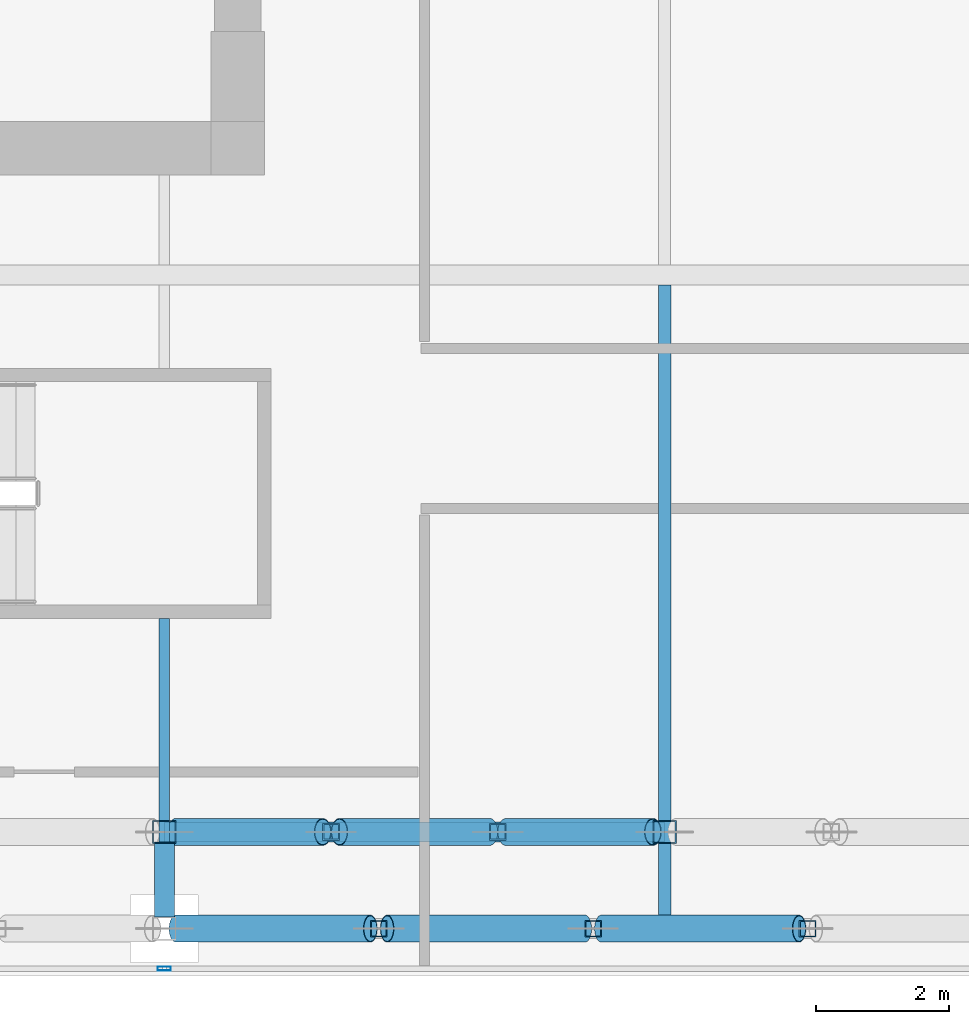
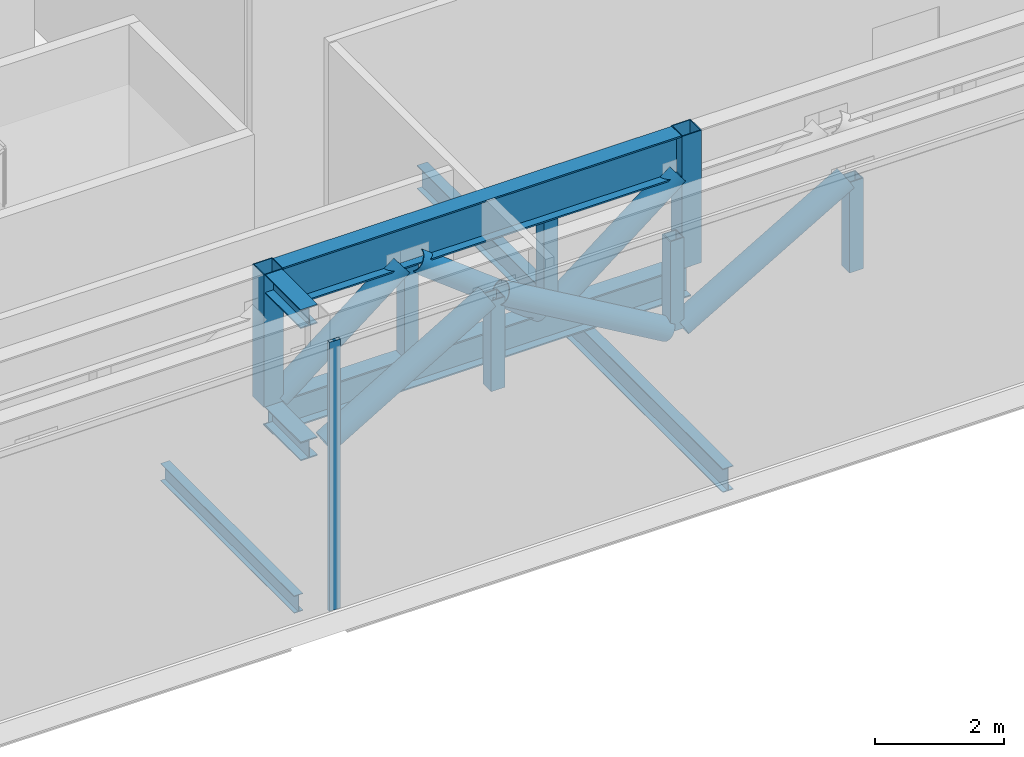
# One storey, part 6 of 36: 16 members, 4 beams, 1 element without a shape of its own.
"""IFC4 building model written with IfcOpenShell, lengths in metres."""

from ifc_helpers import new_model, si_unit, direction, frame, origin, origin_2d, place, context, subcontext, project, spatial, hollow_rectangle, hollow_circle, i_section, extrude, source, transform, mapped, material, material_profile, profile_set, type_object, element, aggregate, save


model = new_model("IFC4")

# Units and contexts
model_context = context("Model", 3, precision=1e-05, world=origin(), true_north=direction((0.0, 1.0)))
body_context = subcontext(model_context, "Body", "Model", "MODEL_VIEW")
ifc_project = project(units=[si_unit("LENGTHUNIT", "METRE"), si_unit("AREAUNIT", "SQUARE_METRE"), si_unit("VOLUMEUNIT", "CUBIC_METRE"), si_unit("PLANEANGLEUNIT", "RADIAN"), si_unit("MASSUNIT", "GRAM", prefix="KILO")], contexts=[model_context])

# Site, building, storey
site_placement = place(None, origin())
site = spatial("IfcSite", under=ifc_project, at=site_placement, CompositionType="ELEMENT")
building_placement = place(site_placement, origin())
building = spatial("IfcBuilding", under=site, at=building_placement, Name="Khomas Fold Tower", CompositionType="ELEMENT")
storey_placement = place(building_placement, frame((0.0, 0.0, 216.699951171875)))
storey = spatial("IfcBuildingStorey", under=building, at=storey_placement, Name="L48", CompositionType="ELEMENT", Elevation=216.699951171875)

# Beams
ifc_material_1 = material(Name="Steel S355", Category="steel")
ifc_material_profile_1 = material_profile(ifc_material_1, i_section(OverallWidth=0.159912109375, OverallDepth=0.330078125, WebThickness=0.007568359375, FlangeThickness=0.011474609375, at=origin_2d()), Name="IPE 330")
ifc_profile_set_1 = profile_set([ifc_material_profile_1], Name="Steel S355")
beam_type_1 = type_object("IfcBeamType", Name="IPE 330 beam JB1", PredefinedType="BEAM", material=ifc_profile_set_1)
shared_shape_1 = source(origin(), body_context, "Body", "SweptSolid", [
    extrude(i_section(OverallWidth=0.159912109375, OverallDepth=0.330078125, WebThickness=0.007568359375, FlangeThickness=0.011474609375, at=origin_2d()), origin(), (0.0, 0.0, 1.0), 4.150146484375),
])
beam_1_placement = place(storey_placement, frame((19.5, 4.199951171875, -0.56494140625), z_axis=(0.0, 1.0, 0.0), x_axis=(-1.0, 0.0, 0.0)))
element("IfcBeam", 1, at=beam_1_placement, inside=storey, type_object=beam_type_1, Name="JB1", PredefinedType="BEAM", context=body_context, shape_type="MappedRepresentation", body=[
    mapped(shared_shape_1, transform((0.0, 0.0, 0.0))),
])
ifc_material_2 = material(Name="Steel S355", Category="steel")
ifc_material_profile_2 = material_profile(ifc_material_2, i_section(OverallWidth=0.18994140625, OverallDepth=0.449951171875, WebThickness=0.009521484375, FlangeThickness=0.0146484375, at=origin_2d()), Name="IPE 450")
ifc_profile_set_2 = profile_set([ifc_material_profile_2], Name="Steel S355")
beam_type_2 = type_object("IfcBeamType", Name="IPE 450 beam JB4", PredefinedType="BEAM", material=ifc_profile_set_2)
shared_shape_2 = source(origin(), body_context, "Body", "SweptSolid", [
    extrude(i_section(OverallWidth=0.18994140625, OverallDepth=0.449951171875, WebThickness=0.009521484375, FlangeThickness=0.0146484375, at=origin_2d()), origin(), (0.0, 0.0, 1.0), 9.5),
])
beam_2_placement = place(storey_placement, frame((27.0, 3.85009765625, -0.625), z_axis=(0.0, 1.0, 0.0), x_axis=(-1.0, 0.0, 0.0)))
element("IfcBeam", 2, at=beam_2_placement, inside=storey, type_object=beam_type_2, Name="JB4", PredefinedType="BEAM", context=body_context, shape_type="MappedRepresentation", body=[
    mapped(shared_shape_2, transform((0.0, 0.0, 0.0))),
])

# Members
ifc_material_3 = material(Name="Steel S355", Category="steel")
ifc_material_profile_3 = material_profile(ifc_material_3, i_section(OverallWidth=0.300048828125, OverallDepth=0.7900390625, WebThickness=0.014892578125, FlangeThickness=0.028076171875, at=origin_2d()), Name="HE 800 A")
ifc_profile_set_3 = profile_set([ifc_material_profile_3], Name="Steel S355")
member_type_1 = type_object("IfcMemberType", Name="BELT TRUSS 3 TOP CHORD HE 800 A", PredefinedType="CHORD", material=ifc_profile_set_3)
shared_shape_3 = source(origin(), body_context, "Body", "SweptSolid", [
    extrude(i_section(OverallWidth=0.300048828125, OverallDepth=0.7900390625, WebThickness=0.014892578125, FlangeThickness=0.028076171875, at=origin_2d()), origin(), (0.0, 0.0, 1.0), 7.14990234375),
])
member_1_placement = place(storey_placement, frame((19.675048828125, 5.14990234375, 4.85498046875), z_axis=(1.0, 0.0, 0.0), x_axis=(0.0, 1.0, 0.0)))
element("IfcMember", 3, at=member_1_placement, inside=storey, type_object=member_type_1, Name="BT3-CT", PredefinedType="CHORD", context=body_context, shape_type="MappedRepresentation", body=[
    mapped(shared_shape_3, transform((0.0, 0.0, 0.0))),
])
ifc_material_4 = material(Name="Steel S355", Category="steel")
ifc_material_profile_4 = material_profile(ifc_material_4, hollow_circle(Radius=0.203125, WallThickness=0.012451171875, at=origin_2d()), Name="CHS 406.4x12.5")
ifc_profile_set_4 = profile_set([ifc_material_profile_4], Name="Steel S355")
member_type_2 = type_object("IfcMemberType", Name="BELT TRUSS 3 DIAGONAL CHS 406.4x12.5", PredefinedType="BRACE", material=ifc_profile_set_4)
shared_shape_4 = source(origin(), body_context, "Body", "SweptSolid", [
    extrude(hollow_circle(Radius=0.203125, WallThickness=0.012451171875, at=origin_2d()), origin(), (0.0, 0.0, 1.0), 2.798583984375),
])
for number, where, z_axis, x_axis, name in (
    (4, (19.675048828125, 5.14990234375, 2.735107421875), (0.786067028411, 0.0, 0.618141267709), (0.0, 1.0, 0.0), "BT3-D"),
    (5, (24.625, 5.14990234375, 2.735107421875), (0.786067028411, 0.0, 0.618141267709), (0.0, 1.0, 0.0), "BT3-D"),
):
    element("IfcMember", number, at=place(storey_placement, frame(where, z_axis=z_axis, x_axis=x_axis)), inside=storey, type_object=member_type_2, Name=name, PredefinedType="BRACE", context=body_context, shape_type="MappedRepresentation", body=[
        mapped(shared_shape_4, transform((0.0, 0.0, 0.0))),
    ])
shared_shape_5 = source(origin(), body_context, "Body", "SweptSolid", [
    extrude(hollow_circle(Radius=0.203125, WallThickness=0.012451171875, at=origin_2d()), origin(), (0.0, 0.0, 1.0), 2.838134765625),
])
member_2_placement = place(storey_placement, frame((22.125, 5.14990234375, 4.465087890625), z_axis=(0.792758275848, 0.0, -0.609536148292), x_axis=(0.0, 1.0, 0.0)))
element("IfcMember", 6, at=member_2_placement, inside=storey, type_object=member_type_2, Name="BT3-D", PredefinedType="BRACE", context=body_context, shape_type="MappedRepresentation", body=[
    mapped(shared_shape_5, transform((0.0, 0.0, 0.0))),
])
ifc_material_5 = material(Name="Steel S355", Category="steel")
ifc_material_profile_5 = material_profile(ifc_material_5, hollow_rectangle(XDim=0.25, YDim=0.25, WallThickness=0.01611328125, at=origin_2d()), Name="SHS 250x250x16")
ifc_profile_set_5 = profile_set([ifc_material_profile_5], Name="Steel S355")
member_type_3 = type_object("IfcMemberType", Name="BELT TRUSS 3 MID POST SHS 250x250x16", PredefinedType="POST", material=ifc_profile_set_5)
shared_shape_6 = source(origin(), body_context, "Body", "SweptSolid", [
    extrude(hollow_rectangle(XDim=0.25, YDim=0.25, WallThickness=0.01611328125, at=origin_2d()), origin(), (0.0, 0.0, 1.0), 1.719970703125),
])
for number, where, z_axis, x_axis, name in (
    (7, (22.71435546875, 3.699951171875, 2.739990234375), (0.0, 0.0, 1.0), (1.0, 0.0, 0.0), "BT3-M"),
    (8, (25.928466796875, 3.699951171875, 2.739990234375), (0.0, 0.0, 1.0), (1.0, 0.0, 0.0), "BT3-M"),
    (9, (29.142822265625, 3.699951171875, 2.739990234375), (0.0, 0.0, 1.0), (1.0, 0.0, 0.0), "BT3-M"),
    (10, (22.0, 5.14990234375, 2.739990234375), (0.0, 0.0, 1.0), (1.0, 0.0, 0.0), "BT3-M"),
    (11, (24.5, 5.14990234375, 2.739990234375), (0.0, 0.0, 1.0), (1.0, 0.0, 0.0), "BT3-M"),
):
    element("IfcMember", number, at=place(storey_placement, frame(where, z_axis=z_axis, x_axis=x_axis)), inside=storey, type_object=member_type_3, Name=name, PredefinedType="POST", context=body_context, shape_type="MappedRepresentation", body=[
        mapped(shared_shape_6, transform((0.0, 0.0, 0.0))),
    ])
shared_shape_7 = source(origin(), body_context, "Body", "SweptSolid", [
    extrude(hollow_circle(Radius=0.203125, WallThickness=0.012451171875, at=origin_2d()), origin(), (0.0, 0.0, 1.0), 3.38916015625),
])
member_3_placement = place(storey_placement, frame((19.675048828125, 3.699951171875, 2.735107421875), z_axis=(0.859905139514, 0.0, 0.510453867688), x_axis=(0.0, 1.0, 0.0)))
element("IfcMember", 12, at=member_3_placement, inside=storey, type_object=member_type_2, Name="BT3-D", PredefinedType="BRACE", context=body_context, shape_type="MappedRepresentation", body=[
    mapped(shared_shape_7, transform((0.0, 0.0, 0.0))),
])
shared_shape_8 = source(origin(), body_context, "Body", "SweptSolid", [
    extrude(hollow_circle(Radius=0.203125, WallThickness=0.012451171875, at=origin_2d()), origin(), (0.0, 0.0, 1.0), 3.43212890625),
])
for number, where, z_axis, x_axis, name in (
    (13, (22.83935546875, 3.699951171875, 4.465087890625), (0.863662775089, 0.0, -0.504070045654), (0.0, 1.0, 0.0), "BT3-D"),
    (14, (26.053466796875, 3.699951171875, 2.735107421875), (0.863680848141, 0.0, 0.5040390784), (0.0, 1.0, 0.0), "BT3-D"),
):
    element("IfcMember", number, at=place(storey_placement, frame(where, z_axis=z_axis, x_axis=x_axis)), inside=storey, type_object=member_type_2, Name=name, PredefinedType="BRACE", context=body_context, shape_type="MappedRepresentation", body=[
        mapped(shared_shape_8, transform((0.0, 0.0, 0.0))),
    ])
ifc_material_6 = material(Name="Steel S355", Category="steel")
ifc_material_profile_6 = material_profile(ifc_material_6, i_section(OverallWidth=0.300048828125, OverallDepth=0.590087890625, WebThickness=0.012939453125, FlangeThickness=0.02490234375, at=origin_2d()), Name="HE 600 A")
ifc_profile_set_6 = profile_set([ifc_material_profile_6], Name="Steel S355")
member_type_4 = type_object("IfcMemberType", Name="BELT TRUSS 3 BOTTOM CHORD HE 600 A", PredefinedType="CHORD", material=ifc_profile_set_6)
shared_shape_9 = source(origin(), body_context, "Body", "SweptSolid", [
    extrude(i_section(OverallWidth=0.300048828125, OverallDepth=0.590087890625, WebThickness=0.012939453125, FlangeThickness=0.02490234375, at=origin_2d()), origin(), (0.0, 0.0, 1.0), 7.5),
])
member_4_placement = place(storey_placement, frame((19.5, 5.14990234375, 2.445068359375), z_axis=(1.0, 0.0, 0.0), x_axis=(0.0, 1.0, 0.0)))
element("IfcMember", 15, at=member_4_placement, inside=storey, type_object=member_type_4, Name="BT3-CB", PredefinedType="CHORD", context=body_context, shape_type="MappedRepresentation", body=[
    mapped(shared_shape_9, transform((0.0, 0.0, 0.0))),
])
ifc_material_7 = material(Name="Steel S355", Category="steel")
ifc_material_profile_7 = material_profile(ifc_material_7, hollow_rectangle(XDim=0.35009765625, YDim=0.35009765625, WallThickness=0.01611328125, at=origin_2d()), Name="SHS 350x350x16")
ifc_profile_set_7 = profile_set([ifc_material_profile_7], Name="Steel S355")
member_type_5 = type_object("IfcMemberType", Name="BELT TRUSS 3 COLUMN POST SHORT SHS 350x350x16", PredefinedType="POST", material=ifc_profile_set_7)
shared_shape_10 = source(origin(), body_context, "Body", "SweptSolid", [
    extrude(hollow_rectangle(XDim=0.35009765625, YDim=0.35009765625, WallThickness=0.01611328125, at=origin_2d()), origin(), (0.0, 0.0, 1.0), 2.510009765625),
])
for number, where, z_axis, x_axis, name in (
    (16, (19.5, 5.14990234375, 2.739990234375), (0.0, 0.0, 1.0), (1.0, 0.0, 0.0), "BT3-PS"),
    (17, (27.0, 5.14990234375, 2.739990234375), (0.0, 0.0, 1.0), (1.0, 0.0, 0.0), "BT3-PS"),
):
    element("IfcMember", number, at=place(storey_placement, frame(where, z_axis=z_axis, x_axis=x_axis)), inside=storey, type_object=member_type_5, Name=name, PredefinedType="POST", context=body_context, shape_type="MappedRepresentation", body=[
        mapped(shared_shape_10, transform((0.0, 0.0, 0.0))),
    ])

# Beams
ifc_material_8 = material(Name="Steel S355", Category="steel")
ifc_material_profile_8 = material_profile(ifc_material_8, i_section(OverallWidth=0.300048828125, OverallDepth=0.360107421875, WebThickness=0.012451171875, FlangeThickness=0.0224609375, at=origin_2d()), Name="HE 360 B")
ifc_profile_set_8 = profile_set([ifc_material_profile_8], Name="Steel S355")
beam_type_3 = type_object("IfcBeamType", Name="BELT TRUSS 3 TOP STRUT HE 360 B", PredefinedType="BEAM", material=ifc_profile_set_8)
shared_shape_11 = source(origin(), body_context, "Body", "SweptSolid", [
    extrude(i_section(OverallWidth=0.300048828125, OverallDepth=0.360107421875, WebThickness=0.012451171875, FlangeThickness=0.0224609375, at=origin_2d()), origin(), (0.0, 0.0, 1.0), 1.10009765625),
])
beam_3_placement = place(storey_placement, frame((19.5, 4.97509765625, 5.070068359375), z_axis=(0.0, -1.0, 0.0), x_axis=(1.0, 0.0, 0.0)))
element("IfcBeam", 18, at=beam_3_placement, inside=storey, type_object=beam_type_3, Name="BT3-ST", PredefinedType="BEAM", context=body_context, shape_type="MappedRepresentation", body=[
    mapped(shared_shape_11, transform((0.0, 0.0, 0.0))),
])
ifc_material_9 = material(Name="Steel S355", Category="steel")
ifc_material_profile_9 = material_profile(ifc_material_9, i_section(OverallWidth=0.300048828125, OverallDepth=0.360107421875, WebThickness=0.012451171875, FlangeThickness=0.0224609375, at=origin_2d()), Name="HE 360 B")
ifc_profile_set_9 = profile_set([ifc_material_profile_9], Name="Steel S355")
beam_type_4 = type_object("IfcBeamType", Name="BELT TRUSS 3 BOTTOM STRUT HE 360 B", PredefinedType="BEAM", material=ifc_profile_set_9)
shared_shape_12 = source(origin(), body_context, "Body", "SweptSolid", [
    extrude(i_section(OverallWidth=0.300048828125, OverallDepth=0.360107421875, WebThickness=0.012451171875, FlangeThickness=0.0224609375, at=origin_2d()), origin(), (0.0, 0.0, 1.0), 1.125),
])
beam_4_placement = place(storey_placement, frame((19.5, 5.0, 2.56005859375), z_axis=(0.0, -1.0, 0.0), x_axis=(1.0, 0.0, 0.0)))
element("IfcBeam", 19, at=beam_4_placement, inside=storey, type_object=beam_type_4, Name="BT3-SB", PredefinedType="BEAM", context=body_context, shape_type="MappedRepresentation", body=[
    mapped(shared_shape_12, transform((0.0, 0.0, 0.0))),
])

# Curtain wall, member
ifc_material_10 = material(Name="Aluminium framed double glazing", Category="aluminium")
curtain_wall_type = type_object("IfcCurtainWallType", Name="SK-Plant louvre wall CW4", PredefinedType="NOTDEFINED", material=ifc_material_10)
curtain_wall_placement = place(storey_placement, origin())
curtain_wall = element("IfcCurtainWall", 20, at=curtain_wall_placement, inside=storey, type_object=curtain_wall_type, Name="CW4 run L48 00-0", PredefinedType="NOTDEFINED")
ifc_material_11 = material(Name="Aluminium", Category="aluminium")
ifc_material_profile_10 = material_profile(ifc_material_11, hollow_rectangle(XDim=0.06005859375, YDim=0.199951171875, WallThickness=0.00390625, at=origin_2d()), Name="SK-Plant louvre wall mullion CW4-M")
ifc_profile_set_10 = profile_set([ifc_material_profile_10], Name="Aluminium")
member_type_6 = type_object("IfcMemberType", Name="SK-Plant louvre wall mullion CW4-M", PredefinedType="MULLION", material=ifc_profile_set_10)
shared_shape_13 = source(origin(), body_context, "Body", "SweptSolid", [
    extrude(hollow_rectangle(XDim=0.06005859375, YDim=0.199951171875, WallThickness=0.00390625, at=origin_2d()), origin(), (0.0, 0.0, 1.0), 5.10009765625),
])
member_5_placement = place(storey_placement, frame((19.5, 3.10009765625, 0.0), z_axis=(0.0, 0.0, 1.0), x_axis=(0.0, 1.0, 0.0)))
member_5 = element("IfcMember", 21, at=member_5_placement, type_object=member_type_6, Name="CW4 mullion 4", PredefinedType="MULLION", context=body_context, shape_type="MappedRepresentation", body=[
    mapped(shared_shape_13, transform((0.0, 0.0, 0.0))),
])
aggregate(curtain_wall, [member_5])

save(model, "model.ifc")
